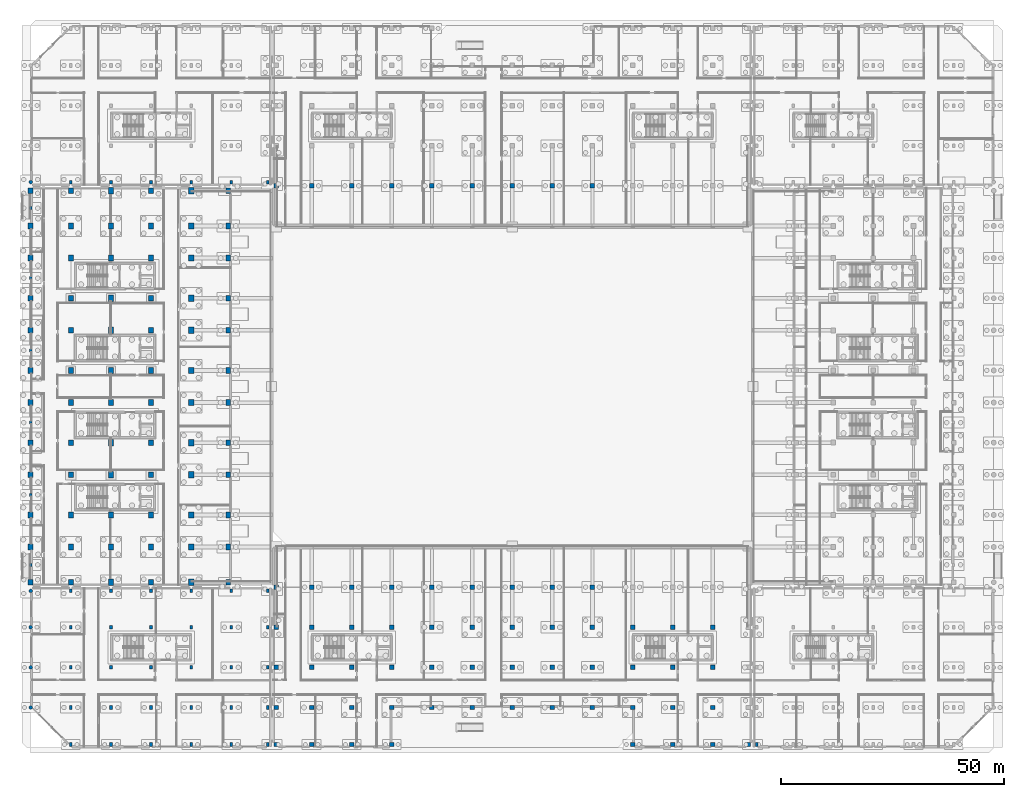
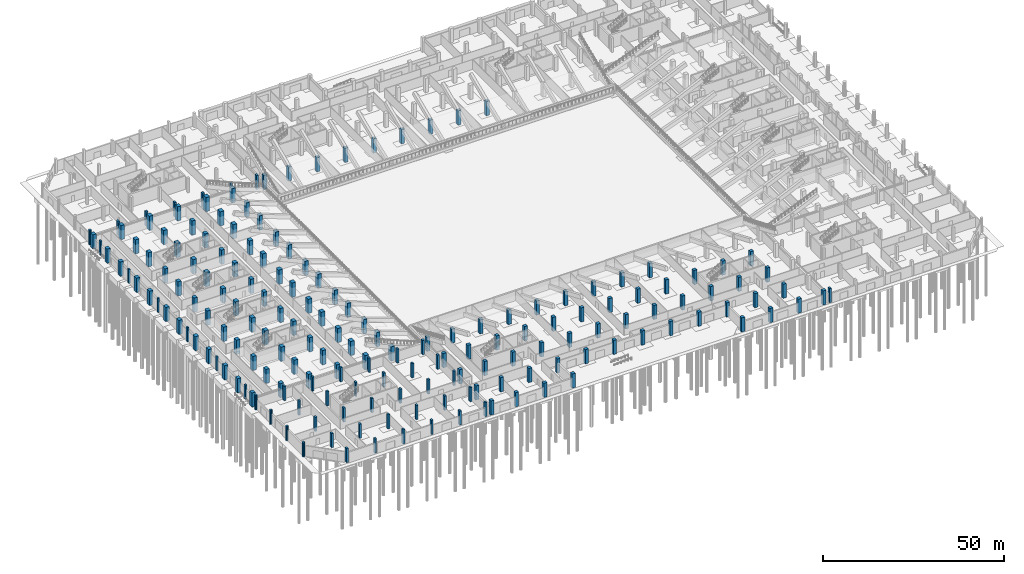
# One storey, part 8 of 53: 182 columns.
"""IFC4 building model written with IfcOpenShell, lengths in metres."""

from ifc_helpers import new_model, si_unit, direction, frame, origin, origin_2d, place, context, subcontext, project, spatial, rectangle, circle, extrude, material, material_profile, profile_set, type_object, element, save


model = new_model("IFC4")

# Units and contexts
model_context = context("Model", 3, precision=1e-05, world=origin(), true_north=direction((0.0, 1.0)))
body_context = subcontext(model_context, "Body", "Model", "MODEL_VIEW")
ifc_project = project(units=[si_unit("LENGTHUNIT", "METRE"), si_unit("AREAUNIT", "SQUARE_METRE"), si_unit("VOLUMEUNIT", "CUBIC_METRE"), si_unit("PLANEANGLEUNIT", "RADIAN"), si_unit("MASSUNIT", "GRAM", prefix="KILO"), si_unit("THERMODYNAMICTEMPERATUREUNIT", "KELVIN"), si_unit("POWERUNIT", "WATT")], contexts=[model_context])

# Site, building, storey
site_placement = place(None, origin())
site = spatial("IfcSite", under=ifc_project, at=site_placement, CompositionType="ELEMENT")
building_placement = place(site_placement, origin())
building = spatial("IfcBuilding", under=site, at=building_placement, Name="Sindhuravela Promenade Stadium", CompositionType="ELEMENT")
storey_placement = place(building_placement, origin())
storey = spatial("IfcBuildingStorey", under=building, at=storey_placement, Name="L00", CompositionType="ELEMENT", Elevation=0.0)

# Columns
ifc_material_1 = material(Name="Concrete M50", Category="concrete")
ifc_material_profile_1 = material_profile(ifc_material_1, rectangle(XDim=1.0, YDim=1.0, at=origin_2d()), Name="RC 1000x1000")
ifc_profile_set_1 = profile_set([ifc_material_profile_1], Name="Concrete M50")
column_type_1 = type_object("IfcColumnType", Name="RC-CL-1000x1000", PredefinedType="COLUMN", material=ifc_profile_set_1)
for number, where, z_axis, x_axis, name in (
    (1, (55.10009765625, 126.0, 0.0), (0.0, 0.0, 1.0), (1.0, 0.0, 0.0), "Column C06 NORTH L00"),
    (2, (63.0, 126.0, 0.0), (0.0, 0.0, 1.0), (1.0, 0.0, 0.0), "Column C06 NORTH L00"),
    (3, (72.0, 126.0, 0.0), (0.0, 0.0, 1.0), (1.0, 0.0, 0.0), "Column C06 NORTH L00"),
    (4, (81.0, 126.0, 0.0), (0.0, 0.0, 1.0), (1.0, 0.0, 0.0), "Column C06 NORTH L00"),
    (5, (90.0, 126.0, 0.0), (0.0, 0.0, 1.0), (1.0, 0.0, 0.0), "Column C06 NORTH L00"),
    (6, (99.0, 126.0, 0.0), (0.0, 0.0, 1.0), (1.0, 0.0, 0.0), "Column C06 NORTH L00"),
    (7, (108.0, 126.0, 0.0), (0.0, 0.0, 1.0), (1.0, 0.0, 0.0), "Column C06 NORTH L00"),
    (8, (117.0, 126.0, 0.0), (0.0, 0.0, 1.0), (1.0, 0.0, 0.0), "Column C06 NORTH L00"),
    (9, (126.0, 126.0, 0.0), (0.0, 0.0, 1.0), (1.0, 0.0, 0.0), "Column C06 NORTH L00"),
    (10, (55.10009765625, 0.699951171875, 0.0), (0.0, 0.0, 1.0), (1.0, 0.0, 0.0), "Column C06 SOUTH L00"),
    (11, (55.10009765625, 9.0, 0.0), (0.0, 0.0, 1.0), (1.0, 0.0, 0.0), "Column C06 SOUTH L00"),
    (12, (55.10009765625, 18.0, 0.0), (0.0, 0.0, 1.0), (1.0, 0.0, 0.0), "Column C06 SOUTH L00"),
    (13, (55.10009765625, 27.0, 0.0), (0.0, 0.0, 1.0), (1.0, 0.0, 0.0), "Column C06 SOUTH L00"),
    (14, (55.10009765625, 36.0, 0.0), (0.0, 0.0, 1.0), (1.0, 0.0, 0.0), "Column C06 SOUTH L00"),
    (15, (63.0, 0.699951171875, 0.0), (0.0, 0.0, 1.0), (1.0, 0.0, 0.0), "Column C06 SOUTH L00"),
    (16, (63.0, 9.0, 0.0), (0.0, 0.0, 1.0), (1.0, 0.0, 0.0), "Column C06 SOUTH L00"),
    (17, (63.0, 18.0, 0.0), (0.0, 0.0, 1.0), (1.0, 0.0, 0.0), "Column C06 SOUTH L00"),
    (18, (63.0, 27.0, 0.0), (0.0, 0.0, 1.0), (1.0, 0.0, 0.0), "Column C06 SOUTH L00"),
    (19, (63.0, 36.0, 0.0), (0.0, 0.0, 1.0), (1.0, 0.0, 0.0), "Column C06 SOUTH L00"),
    (20, (72.0, 0.699951171875, 0.0), (0.0, 0.0, 1.0), (1.0, 0.0, 0.0), "Column C06 SOUTH L00"),
    (21, (72.0, 9.0, 0.0), (0.0, 0.0, 1.0), (1.0, 0.0, 0.0), "Column C06 SOUTH L00"),
    (22, (72.0, 18.0, 0.0), (0.0, 0.0, 1.0), (1.0, 0.0, 0.0), "Column C06 SOUTH L00"),
    (23, (72.0, 27.0, 0.0), (0.0, 0.0, 1.0), (1.0, 0.0, 0.0), "Column C06 SOUTH L00"),
    (24, (72.0, 36.0, 0.0), (0.0, 0.0, 1.0), (1.0, 0.0, 0.0), "Column C06 SOUTH L00"),
    (25, (81.0, 0.699951171875, 0.0), (0.0, 0.0, 1.0), (1.0, 0.0, 0.0), "Column C06 SOUTH L00"),
    (26, (81.0, 9.0, 0.0), (0.0, 0.0, 1.0), (1.0, 0.0, 0.0), "Column C06 SOUTH L00"),
    (27, (81.0, 18.0, 0.0), (0.0, 0.0, 1.0), (1.0, 0.0, 0.0), "Column C06 SOUTH L00"),
    (28, (81.0, 27.0, 0.0), (0.0, 0.0, 1.0), (1.0, 0.0, 0.0), "Column C06 SOUTH L00"),
    (29, (81.0, 36.0, 0.0), (0.0, 0.0, 1.0), (1.0, 0.0, 0.0), "Column C06 SOUTH L00"),
    (30, (90.0, 9.0, 0.0), (0.0, 0.0, 1.0), (1.0, 0.0, 0.0), "Column C06 SOUTH L00"),
    (31, (90.0, 18.0, 0.0), (0.0, 0.0, 1.0), (1.0, 0.0, 0.0), "Column C06 SOUTH L00"),
    (32, (90.0, 27.0, 0.0), (0.0, 0.0, 1.0), (1.0, 0.0, 0.0), "Column C06 SOUTH L00"),
    (33, (90.0, 36.0, 0.0), (0.0, 0.0, 1.0), (1.0, 0.0, 0.0), "Column C06 SOUTH L00"),
    (34, (99.0, 9.0, 0.0), (0.0, 0.0, 1.0), (1.0, 0.0, 0.0), "Column C06 SOUTH L00"),
    (35, (99.0, 18.0, 0.0), (0.0, 0.0, 1.0), (1.0, 0.0, 0.0), "Column C06 SOUTH L00"),
    (36, (99.0, 27.0, 0.0), (0.0, 0.0, 1.0), (1.0, 0.0, 0.0), "Column C06 SOUTH L00"),
    (37, (99.0, 36.0, 0.0), (0.0, 0.0, 1.0), (1.0, 0.0, 0.0), "Column C06 SOUTH L00"),
    (38, (108.0, 9.0, 0.0), (0.0, 0.0, 1.0), (1.0, 0.0, 0.0), "Column C06 SOUTH L00"),
    (39, (108.0, 18.0, 0.0), (0.0, 0.0, 1.0), (1.0, 0.0, 0.0), "Column C06 SOUTH L00"),
    (40, (108.0, 27.0, 0.0), (0.0, 0.0, 1.0), (1.0, 0.0, 0.0), "Column C06 SOUTH L00"),
    (41, (108.0, 36.0, 0.0), (0.0, 0.0, 1.0), (1.0, 0.0, 0.0), "Column C06 SOUTH L00"),
    (42, (117.0, 9.0, 0.0), (0.0, 0.0, 1.0), (1.0, 0.0, 0.0), "Column C06 SOUTH L00"),
    (43, (117.0, 18.0, 0.0), (0.0, 0.0, 1.0), (1.0, 0.0, 0.0), "Column C06 SOUTH L00"),
    (44, (117.0, 27.0, 0.0), (0.0, 0.0, 1.0), (1.0, 0.0, 0.0), "Column C06 SOUTH L00"),
    (45, (117.0, 36.0, 0.0), (0.0, 0.0, 1.0), (1.0, 0.0, 0.0), "Column C06 SOUTH L00"),
    (46, (126.0, 9.0, 0.0), (0.0, 0.0, 1.0), (1.0, 0.0, 0.0), "Column C06 SOUTH L00"),
    (47, (126.0, 18.0, 0.0), (0.0, 0.0, 1.0), (1.0, 0.0, 0.0), "Column C06 SOUTH L00"),
    (48, (126.0, 27.0, 0.0), (0.0, 0.0, 1.0), (1.0, 0.0, 0.0), "Column C06 SOUTH L00"),
    (49, (126.0, 36.0, 0.0), (0.0, 0.0, 1.0), (1.0, 0.0, 0.0), "Column C06 SOUTH L00"),
    (50, (135.0, 0.699951171875, 0.0), (0.0, 0.0, 1.0), (1.0, 0.0, 0.0), "Column C06 SOUTH L00"),
    (51, (135.0, 9.0, 0.0), (0.0, 0.0, 1.0), (1.0, 0.0, 0.0), "Column C06 SOUTH L00"),
    (52, (135.0, 18.0, 0.0), (0.0, 0.0, 1.0), (1.0, 0.0, 0.0), "Column C06 SOUTH L00"),
    (53, (135.0, 27.0, 0.0), (0.0, 0.0, 1.0), (1.0, 0.0, 0.0), "Column C06 SOUTH L00"),
    (54, (144.0, 0.699951171875, 0.0), (0.0, 0.0, 1.0), (1.0, 0.0, 0.0), "Column C06 SOUTH L00"),
    (55, (144.0, 9.0, 0.0), (0.0, 0.0, 1.0), (1.0, 0.0, 0.0), "Column C06 SOUTH L00"),
    (56, (144.0, 18.0, 0.0), (0.0, 0.0, 1.0), (1.0, 0.0, 0.0), "Column C06 SOUTH L00"),
    (57, (144.0, 27.0, 0.0), (0.0, 0.0, 1.0), (1.0, 0.0, 0.0), "Column C06 SOUTH L00"),
    (58, (153.0, 0.699951171875, 0.0), (0.0, 0.0, 1.0), (1.0, 0.0, 0.0), "Column C06 SOUTH L00"),
    (59, (153.0, 9.0, 0.0), (0.0, 0.0, 1.0), (1.0, 0.0, 0.0), "Column C06 SOUTH L00"),
    (60, (153.0, 18.0, 0.0), (0.0, 0.0, 1.0), (1.0, 0.0, 0.0), "Column C06 SOUTH L00"),
    (61, (153.0, 27.0, 0.0), (0.0, 0.0, 1.0), (1.0, 0.0, 0.0), "Column C06 SOUTH L00"),
    (62, (160.89990234375, 0.699951171875, 0.0), (0.0, 0.0, 1.0), (1.0, 0.0, 0.0), "Column C06 SOUTH L00"),
):
    element("IfcColumn", number, at=place(storey_placement, frame(where, z_axis=z_axis, x_axis=x_axis)), inside=storey, type_object=column_type_1, Name=name, PredefinedType="COLUMN", context=body_context, shape_type="SweptSolid", body=[
        extrude(rectangle(XDim=1.0, YDim=1.0, at=origin_2d()), origin(), (0.0, 0.0, 1.0), 4.800048828125),
    ])
ifc_material_profile_2 = material_profile(ifc_material_1, rectangle(XDim=1.10009765625, YDim=1.300048828125, at=origin_2d()), Name="RC 1100x1300")
ifc_profile_set_2 = profile_set([ifc_material_profile_2], Name="Concrete M50")
column_type_2 = type_object("IfcColumnType", Name="RC-CL-1100x1300", PredefinedType="COLUMN", material=ifc_profile_set_2)
for number, where, z_axis, x_axis, name in (
    (63, (0.0, 37.10009765625, 0.0), (0.0, 0.0, 1.0), (1.0, 0.0, 0.0), "Column C03 WEST L00"),
    (64, (0.0, 45.0, 0.0), (0.0, 0.0, 1.0), (1.0, 0.0, 0.0), "Column C03 WEST L00"),
    (65, (0.0, 52.199951171875, 0.0), (0.0, 0.0, 1.0), (1.0, 0.0, 0.0), "Column C03 WEST L00"),
    (66, (0.0, 61.199951171875, 0.0), (0.0, 0.0, 1.0), (1.0, 0.0, 0.0), "Column C03 WEST L00"),
    (67, (0.0, 68.39990234375, 0.0), (0.0, 0.0, 1.0), (1.0, 0.0, 0.0), "Column C03 WEST L00"),
    (68, (0.0, 77.39990234375, 0.0), (0.0, 0.0, 1.0), (1.0, 0.0, 0.0), "Column C03 WEST L00"),
    (69, (0.0, 84.60009765625, 0.0), (0.0, 0.0, 1.0), (1.0, 0.0, 0.0), "Column C03 WEST L00"),
    (70, (0.0, 93.60009765625, 0.0), (0.0, 0.0, 1.0), (1.0, 0.0, 0.0), "Column C03 WEST L00"),
    (71, (0.0, 100.800048828125, 0.0), (0.0, 0.0, 1.0), (1.0, 0.0, 0.0), "Column C03 WEST L00"),
    (72, (0.0, 109.800048828125, 0.0), (0.0, 0.0, 1.0), (1.0, 0.0, 0.0), "Column C03 WEST L00"),
    (73, (0.0, 117.0, 0.0), (0.0, 0.0, 1.0), (1.0, 0.0, 0.0), "Column C03 WEST L00"),
    (74, (0.0, 124.89990234375, 0.0), (0.0, 0.0, 1.0), (1.0, 0.0, 0.0), "Column C03 WEST L00"),
    (75, (9.0, 37.10009765625, 0.0), (0.0, 0.0, 1.0), (1.0, 0.0, 0.0), "Column C03 WEST L00"),
    (76, (9.0, 45.0, 0.0), (0.0, 0.0, 1.0), (1.0, 0.0, 0.0), "Column C03 WEST L00"),
    (77, (9.0, 52.199951171875, 0.0), (0.0, 0.0, 1.0), (1.0, 0.0, 0.0), "Column C03 WEST L00"),
    (78, (9.0, 61.199951171875, 0.0), (0.0, 0.0, 1.0), (1.0, 0.0, 0.0), "Column C03 WEST L00"),
    (79, (9.0, 68.39990234375, 0.0), (0.0, 0.0, 1.0), (1.0, 0.0, 0.0), "Column C03 WEST L00"),
    (80, (9.0, 77.39990234375, 0.0), (0.0, 0.0, 1.0), (1.0, 0.0, 0.0), "Column C03 WEST L00"),
    (81, (9.0, 84.60009765625, 0.0), (0.0, 0.0, 1.0), (1.0, 0.0, 0.0), "Column C03 WEST L00"),
    (82, (9.0, 93.60009765625, 0.0), (0.0, 0.0, 1.0), (1.0, 0.0, 0.0), "Column C03 WEST L00"),
    (83, (9.0, 100.800048828125, 0.0), (0.0, 0.0, 1.0), (1.0, 0.0, 0.0), "Column C03 WEST L00"),
    (84, (9.0, 109.800048828125, 0.0), (0.0, 0.0, 1.0), (1.0, 0.0, 0.0), "Column C03 WEST L00"),
    (85, (9.0, 117.0, 0.0), (0.0, 0.0, 1.0), (1.0, 0.0, 0.0), "Column C03 WEST L00"),
    (86, (9.0, 124.89990234375, 0.0), (0.0, 0.0, 1.0), (1.0, 0.0, 0.0), "Column C03 WEST L00"),
    (87, (27.0, 37.10009765625, 0.0), (0.0, 0.0, 1.0), (1.0, 0.0, 0.0), "Column C03 WEST L00"),
    (88, (27.0, 45.0, 0.0), (0.0, 0.0, 1.0), (1.0, 0.0, 0.0), "Column C03 WEST L00"),
    (89, (27.0, 52.199951171875, 0.0), (0.0, 0.0, 1.0), (1.0, 0.0, 0.0), "Column C03 WEST L00"),
    (90, (27.0, 61.199951171875, 0.0), (0.0, 0.0, 1.0), (1.0, 0.0, 0.0), "Column C03 WEST L00"),
    (91, (27.0, 68.39990234375, 0.0), (0.0, 0.0, 1.0), (1.0, 0.0, 0.0), "Column C03 WEST L00"),
    (92, (27.0, 77.39990234375, 0.0), (0.0, 0.0, 1.0), (1.0, 0.0, 0.0), "Column C03 WEST L00"),
    (93, (27.0, 84.60009765625, 0.0), (0.0, 0.0, 1.0), (1.0, 0.0, 0.0), "Column C03 WEST L00"),
    (94, (27.0, 93.60009765625, 0.0), (0.0, 0.0, 1.0), (1.0, 0.0, 0.0), "Column C03 WEST L00"),
    (95, (27.0, 100.800048828125, 0.0), (0.0, 0.0, 1.0), (1.0, 0.0, 0.0), "Column C03 WEST L00"),
    (96, (27.0, 109.800048828125, 0.0), (0.0, 0.0, 1.0), (1.0, 0.0, 0.0), "Column C03 WEST L00"),
    (97, (27.0, 117.0, 0.0), (0.0, 0.0, 1.0), (1.0, 0.0, 0.0), "Column C03 WEST L00"),
    (98, (27.0, 124.89990234375, 0.0), (0.0, 0.0, 1.0), (1.0, 0.0, 0.0), "Column C03 WEST L00"),
    (99, (44.300048828125, 37.10009765625, 0.0), (0.0, 0.0, 1.0), (1.0, 0.0, 0.0), "Column C03 WEST L00"),
    (100, (44.300048828125, 45.0, 0.0), (0.0, 0.0, 1.0), (1.0, 0.0, 0.0), "Column C03 WEST L00"),
    (101, (44.300048828125, 52.199951171875, 0.0), (0.0, 0.0, 1.0), (1.0, 0.0, 0.0), "Column C03 WEST L00"),
    (102, (44.300048828125, 61.199951171875, 0.0), (0.0, 0.0, 1.0), (1.0, 0.0, 0.0), "Column C03 WEST L00"),
    (103, (44.300048828125, 68.39990234375, 0.0), (0.0, 0.0, 1.0), (1.0, 0.0, 0.0), "Column C03 WEST L00"),
    (104, (44.300048828125, 77.39990234375, 0.0), (0.0, 0.0, 1.0), (1.0, 0.0, 0.0), "Column C03 WEST L00"),
    (105, (44.300048828125, 84.60009765625, 0.0), (0.0, 0.0, 1.0), (1.0, 0.0, 0.0), "Column C03 WEST L00"),
    (106, (44.300048828125, 93.60009765625, 0.0), (0.0, 0.0, 1.0), (1.0, 0.0, 0.0), "Column C03 WEST L00"),
    (107, (44.300048828125, 100.800048828125, 0.0), (0.0, 0.0, 1.0), (1.0, 0.0, 0.0), "Column C03 WEST L00"),
    (108, (44.300048828125, 109.800048828125, 0.0), (0.0, 0.0, 1.0), (1.0, 0.0, 0.0), "Column C03 WEST L00"),
    (109, (44.300048828125, 117.0, 0.0), (0.0, 0.0, 1.0), (1.0, 0.0, 0.0), "Column C03 WEST L00"),
    (110, (44.300048828125, 124.89990234375, 0.0), (0.0, 0.0, 1.0), (1.0, 0.0, 0.0), "Column C03 WEST L00"),
):
    element("IfcColumn", number, at=place(storey_placement, frame(where, z_axis=z_axis, x_axis=x_axis)), inside=storey, type_object=column_type_2, Name=name, PredefinedType="COLUMN", context=body_context, shape_type="SweptSolid", body=[
        extrude(rectangle(XDim=1.10009765625, YDim=1.300048828125, at=origin_2d()), origin(), (0.0, 0.0, 1.0), 4.800048828125),
    ])
ifc_material_profile_3 = material_profile(ifc_material_1, rectangle(XDim=1.199951171875, YDim=1.39990234375, at=origin_2d()), Name="RC 1200x1400")
ifc_profile_set_3 = profile_set([ifc_material_profile_3], Name="Concrete M50")
column_type_3 = type_object("IfcColumnType", Name="RC-CL-1200x1400", PredefinedType="COLUMN", material=ifc_profile_set_3)
for number, where, z_axis, x_axis, name in (
    (111, (18.0, 37.10009765625, 0.0), (0.0, 0.0, 1.0), (1.0, 0.0, 0.0), "Column C01 WEST L00"),
    (112, (18.0, 45.0, 0.0), (0.0, 0.0, 1.0), (1.0, 0.0, 0.0), "Column C01 WEST L00"),
    (113, (18.0, 52.199951171875, 0.0), (0.0, 0.0, 1.0), (1.0, 0.0, 0.0), "Column C01 WEST L00"),
    (114, (18.0, 61.199951171875, 0.0), (0.0, 0.0, 1.0), (1.0, 0.0, 0.0), "Column C01 WEST L00"),
    (115, (18.0, 68.39990234375, 0.0), (0.0, 0.0, 1.0), (1.0, 0.0, 0.0), "Column C01 WEST L00"),
    (116, (18.0, 77.39990234375, 0.0), (0.0, 0.0, 1.0), (1.0, 0.0, 0.0), "Column C01 WEST L00"),
    (117, (18.0, 84.60009765625, 0.0), (0.0, 0.0, 1.0), (1.0, 0.0, 0.0), "Column C01 WEST L00"),
    (118, (18.0, 93.60009765625, 0.0), (0.0, 0.0, 1.0), (1.0, 0.0, 0.0), "Column C01 WEST L00"),
    (119, (18.0, 100.800048828125, 0.0), (0.0, 0.0, 1.0), (1.0, 0.0, 0.0), "Column C01 WEST L00"),
    (120, (18.0, 109.800048828125, 0.0), (0.0, 0.0, 1.0), (1.0, 0.0, 0.0), "Column C01 WEST L00"),
    (121, (18.0, 117.0, 0.0), (0.0, 0.0, 1.0), (1.0, 0.0, 0.0), "Column C01 WEST L00"),
    (122, (18.0, 124.89990234375, 0.0), (0.0, 0.0, 1.0), (1.0, 0.0, 0.0), "Column C01 WEST L00"),
    (123, (36.0, 37.10009765625, 0.0), (0.0, 0.0, 1.0), (1.0, 0.0, 0.0), "Column C01 WEST L00"),
    (124, (36.0, 45.0, 0.0), (0.0, 0.0, 1.0), (1.0, 0.0, 0.0), "Column C01 WEST L00"),
    (125, (36.0, 52.199951171875, 0.0), (0.0, 0.0, 1.0), (1.0, 0.0, 0.0), "Column C01 WEST L00"),
    (126, (36.0, 61.199951171875, 0.0), (0.0, 0.0, 1.0), (1.0, 0.0, 0.0), "Column C01 WEST L00"),
    (127, (36.0, 68.39990234375, 0.0), (0.0, 0.0, 1.0), (1.0, 0.0, 0.0), "Column C01 WEST L00"),
    (128, (36.0, 77.39990234375, 0.0), (0.0, 0.0, 1.0), (1.0, 0.0, 0.0), "Column C01 WEST L00"),
    (129, (36.0, 84.60009765625, 0.0), (0.0, 0.0, 1.0), (1.0, 0.0, 0.0), "Column C01 WEST L00"),
    (130, (36.0, 93.60009765625, 0.0), (0.0, 0.0, 1.0), (1.0, 0.0, 0.0), "Column C01 WEST L00"),
    (131, (36.0, 100.800048828125, 0.0), (0.0, 0.0, 1.0), (1.0, 0.0, 0.0), "Column C01 WEST L00"),
    (132, (36.0, 109.800048828125, 0.0), (0.0, 0.0, 1.0), (1.0, 0.0, 0.0), "Column C01 WEST L00"),
    (133, (36.0, 117.0, 0.0), (0.0, 0.0, 1.0), (1.0, 0.0, 0.0), "Column C01 WEST L00"),
    (134, (36.0, 124.89990234375, 0.0), (0.0, 0.0, 1.0), (1.0, 0.0, 0.0), "Column C01 WEST L00"),
):
    element("IfcColumn", number, at=place(storey_placement, frame(where, z_axis=z_axis, x_axis=x_axis)), inside=storey, type_object=column_type_3, Name=name, PredefinedType="COLUMN", context=body_context, shape_type="SweptSolid", body=[
        extrude(rectangle(XDim=1.199951171875, YDim=1.39990234375, at=origin_2d()), origin(), (0.0, 0.0, 1.0), 4.800048828125),
    ])
ifc_material_2 = material(Name="Concrete M40", Category="concrete")
ifc_material_profile_4 = material_profile(ifc_material_2, rectangle(XDim=0.60009765625, YDim=0.800048828125, at=origin_2d()), Name="RC 600x800")
ifc_profile_set_4 = profile_set([ifc_material_profile_4], Name="Concrete M40")
column_type_4 = type_object("IfcColumnType", Name="RC-CL-600x800", PredefinedType="COLUMN", material=ifc_profile_set_4)
for number, where, z_axis, x_axis, name in (
    (135, (9.0, 0.699951171875, 0.0), (0.0, 0.0, 1.0), (1.0, 0.0, 0.0), "Column C16 Pavilion SW L00"),
    (136, (9.0, 9.0, 0.0), (0.0, 0.0, 1.0), (1.0, 0.0, 0.0), "Column C16 Pavilion SW L00"),
    (137, (9.0, 18.0, 0.0), (0.0, 0.0, 1.0), (1.0, 0.0, 0.0), "Column C16 Pavilion SW L00"),
    (138, (9.0, 27.0, 0.0), (0.0, 0.0, 1.0), (1.0, 0.0, 0.0), "Column C16 Pavilion SW L00"),
    (139, (9.0, 35.14990234375, 0.0), (0.0, 0.0, 1.0), (1.0, 0.0, 0.0), "Column C16 Pavilion SW L00"),
    (140, (18.0, 0.699951171875, 0.0), (0.0, 0.0, 1.0), (1.0, 0.0, 0.0), "Column C16 Pavilion SW L00"),
    (141, (18.0, 9.0, 0.0), (0.0, 0.0, 1.0), (1.0, 0.0, 0.0), "Column C16 Pavilion SW L00"),
    (142, (18.0, 18.0, 0.0), (0.0, 0.0, 1.0), (1.0, 0.0, 0.0), "Column C16 Pavilion SW L00"),
    (143, (18.0, 27.0, 0.0), (0.0, 0.0, 1.0), (1.0, 0.0, 0.0), "Column C16 Pavilion SW L00"),
    (144, (18.0, 35.14990234375, 0.0), (0.0, 0.0, 1.0), (1.0, 0.0, 0.0), "Column C16 Pavilion SW L00"),
    (145, (27.0, 0.699951171875, 0.0), (0.0, 0.0, 1.0), (1.0, 0.0, 0.0), "Column C16 Pavilion SW L00"),
    (146, (27.0, 9.0, 0.0), (0.0, 0.0, 1.0), (1.0, 0.0, 0.0), "Column C16 Pavilion SW L00"),
    (147, (27.0, 18.0, 0.0), (0.0, 0.0, 1.0), (1.0, 0.0, 0.0), "Column C16 Pavilion SW L00"),
    (148, (27.0, 27.0, 0.0), (0.0, 0.0, 1.0), (1.0, 0.0, 0.0), "Column C16 Pavilion SW L00"),
    (149, (27.0, 35.14990234375, 0.0), (0.0, 0.0, 1.0), (1.0, 0.0, 0.0), "Column C16 Pavilion SW L00"),
    (150, (36.0, 0.699951171875, 0.0), (0.0, 0.0, 1.0), (1.0, 0.0, 0.0), "Column C16 Pavilion SW L00"),
    (151, (36.0, 9.0, 0.0), (0.0, 0.0, 1.0), (1.0, 0.0, 0.0), "Column C16 Pavilion SW L00"),
    (152, (36.0, 18.0, 0.0), (0.0, 0.0, 1.0), (1.0, 0.0, 0.0), "Column C16 Pavilion SW L00"),
    (153, (36.0, 27.0, 0.0), (0.0, 0.0, 1.0), (1.0, 0.0, 0.0), "Column C16 Pavilion SW L00"),
    (154, (36.0, 35.14990234375, 0.0), (0.0, 0.0, 1.0), (1.0, 0.0, 0.0), "Column C16 Pavilion SW L00"),
    (155, (45.0, 0.699951171875, 0.0), (0.0, 0.0, 1.0), (1.0, 0.0, 0.0), "Column C16 Pavilion SW L00"),
    (156, (45.0, 9.0, 0.0), (0.0, 0.0, 1.0), (1.0, 0.0, 0.0), "Column C16 Pavilion SW L00"),
    (157, (45.0, 18.0, 0.0), (0.0, 0.0, 1.0), (1.0, 0.0, 0.0), "Column C16 Pavilion SW L00"),
    (158, (45.0, 27.0, 0.0), (0.0, 0.0, 1.0), (1.0, 0.0, 0.0), "Column C16 Pavilion SW L00"),
    (159, (45.0, 35.14990234375, 0.0), (0.0, 0.0, 1.0), (1.0, 0.0, 0.0), "Column C16 Pavilion SW L00"),
    (160, (53.14990234375, 0.699951171875, 0.0), (0.0, 0.0, 1.0), (1.0, 0.0, 0.0), "Column C16 Pavilion SW L00"),
    (161, (53.14990234375, 9.0, 0.0), (0.0, 0.0, 1.0), (1.0, 0.0, 0.0), "Column C16 Pavilion SW L00"),
    (162, (53.14990234375, 18.0, 0.0), (0.0, 0.0, 1.0), (1.0, 0.0, 0.0), "Column C16 Pavilion SW L00"),
    (163, (53.14990234375, 27.0, 0.0), (0.0, 0.0, 1.0), (1.0, 0.0, 0.0), "Column C16 Pavilion SW L00"),
    (164, (53.14990234375, 35.14990234375, 0.0), (0.0, 0.0, 1.0), (1.0, 0.0, 0.0), "Column C16 Pavilion SW L00"),
    (165, (162.85009765625, 0.699951171875, 0.0), (0.0, 0.0, 1.0), (1.0, 0.0, 0.0), "Column C16 Pavilion SE L00"),
    (166, (9.0, 126.85009765625, 0.0), (0.0, 0.0, 1.0), (1.0, 0.0, 0.0), "Column C16 Pavilion NW L00"),
    (167, (18.0, 126.85009765625, 0.0), (0.0, 0.0, 1.0), (1.0, 0.0, 0.0), "Column C16 Pavilion NW L00"),
    (168, (27.0, 126.85009765625, 0.0), (0.0, 0.0, 1.0), (1.0, 0.0, 0.0), "Column C16 Pavilion NW L00"),
    (169, (36.0, 126.85009765625, 0.0), (0.0, 0.0, 1.0), (1.0, 0.0, 0.0), "Column C16 Pavilion NW L00"),
    (170, (45.0, 126.85009765625, 0.0), (0.0, 0.0, 1.0), (1.0, 0.0, 0.0), "Column C16 Pavilion NW L00"),
    (171, (53.14990234375, 126.85009765625, 0.0), (0.0, 0.0, 1.0), (1.0, 0.0, 0.0), "Column C16 Pavilion NW L00"),
):
    element("IfcColumn", number, at=place(storey_placement, frame(where, z_axis=z_axis, x_axis=x_axis)), inside=storey, type_object=column_type_4, Name=name, PredefinedType="COLUMN", context=body_context, shape_type="SweptSolid", body=[
        extrude(rectangle(XDim=0.60009765625, YDim=0.800048828125, at=origin_2d()), origin(), (0.0, 0.0, 1.0), 4.800048828125),
    ])
ifc_material_profile_5 = material_profile(ifc_material_2, circle(Radius=0.39990234375, at=origin_2d()), Name="RC D800")
ifc_profile_set_5 = profile_set([ifc_material_profile_5], Name="Concrete M40")
column_type_5 = type_object("IfcColumnType", Name="RC-CL-D800", PredefinedType="COLUMN", material=ifc_profile_set_5)
for number, where, z_axis, x_axis, name in (
    (172, (0.0, 9.0, 0.0), (0.0, 0.0, 1.0), (1.0, 0.0, 0.0), "Column CD3 Pavilion SW L00"),
    (173, (0.0, 18.0, 0.0), (0.0, 0.0, 1.0), (1.0, 0.0, 0.0), "Column CD3 Pavilion SW L00"),
    (174, (0.0, 27.0, 0.0), (0.0, 0.0, 1.0), (1.0, 0.0, 0.0), "Column CD3 Pavilion SW L00"),
    (175, (0.0, 35.14990234375, 0.0), (0.0, 0.0, 1.0), (1.0, 0.0, 0.0), "Column CD3 Pavilion SW L00"),
    (176, (0.0, 126.85009765625, 0.0), (0.0, 0.0, 1.0), (1.0, 0.0, 0.0), "Column CD3 Pavilion NW L00"),
):
    element("IfcColumn", number, at=place(storey_placement, frame(where, z_axis=z_axis, x_axis=x_axis)), inside=storey, type_object=column_type_5, Name=name, PredefinedType="COLUMN", context=body_context, shape_type="SweptSolid", body=[
        extrude(circle(Radius=0.39990234375, at=origin_2d()), origin(), (0.0, 0.0, 1.0), 4.800048828125),
    ])
ifc_material_profile_6 = material_profile(ifc_material_2, rectangle(XDim=0.5, YDim=0.699951171875, at=origin_2d()), Name="PIL 500x700")
ifc_profile_set_6 = profile_set([ifc_material_profile_6], Name="Concrete M40")
column_type_6 = type_object("IfcColumnType", Name="RC-PL-500x700", PredefinedType="PILASTER", material=ifc_profile_set_6)
for number, where, z_axis, x_axis, name in (
    (177, (0.0, 41.0, 0.0), (0.0, 0.0, 1.0), (1.0, 0.0, 0.0), "Fluted pilaster PL1 WEST L00"),
    (178, (0.0, 56.699951171875, 0.0), (0.0, 0.0, 1.0), (1.0, 0.0, 0.0), "Fluted pilaster PL1 WEST L00"),
    (179, (0.0, 72.89990234375, 0.0), (0.0, 0.0, 1.0), (1.0, 0.0, 0.0), "Fluted pilaster PL1 WEST L00"),
    (180, (0.0, 89.10009765625, 0.0), (0.0, 0.0, 1.0), (1.0, 0.0, 0.0), "Fluted pilaster PL1 WEST L00"),
    (181, (0.0, 105.300048828125, 0.0), (0.0, 0.0, 1.0), (1.0, 0.0, 0.0), "Fluted pilaster PL1 WEST L00"),
    (182, (0.0, 121.0, 0.0), (0.0, 0.0, 1.0), (1.0, 0.0, 0.0), "Fluted pilaster PL1 WEST L00"),
):
    element("IfcColumn", number, at=place(storey_placement, frame(where, z_axis=z_axis, x_axis=x_axis)), inside=storey, type_object=column_type_6, Name=name, PredefinedType="PILASTER", context=body_context, shape_type="SweptSolid", body=[
        extrude(rectangle(XDim=0.5, YDim=0.699951171875, at=origin_2d()), origin(), (0.0, 0.0, 1.0), 4.800048828125),
    ])

save(model, "model.ifc")
